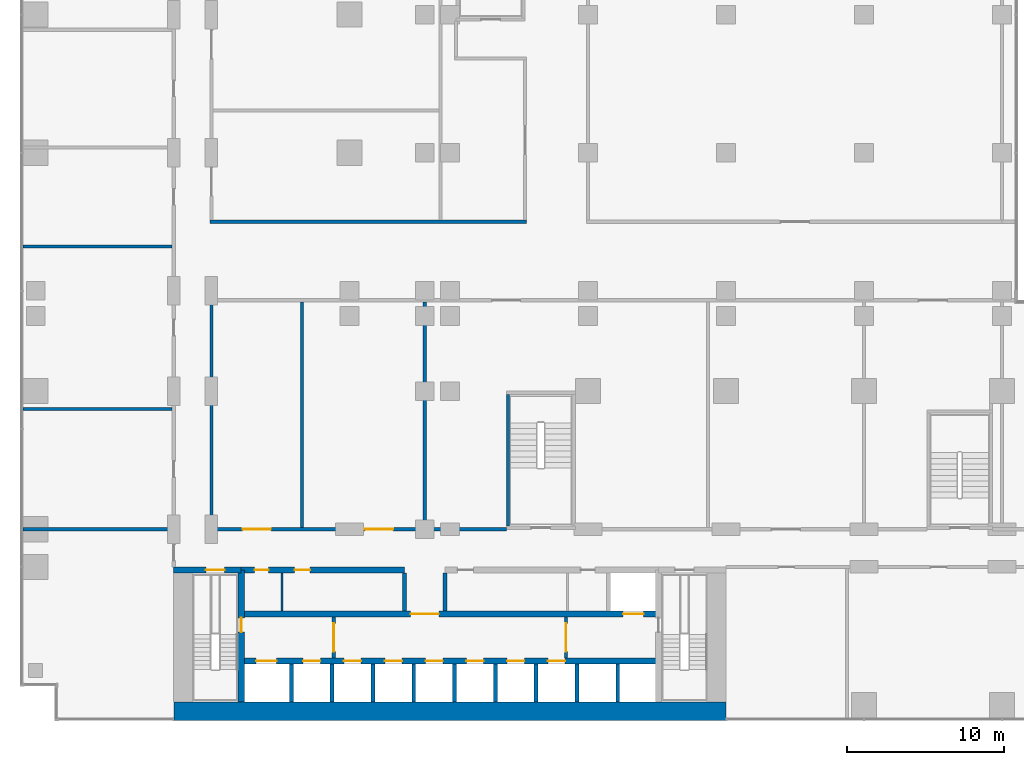
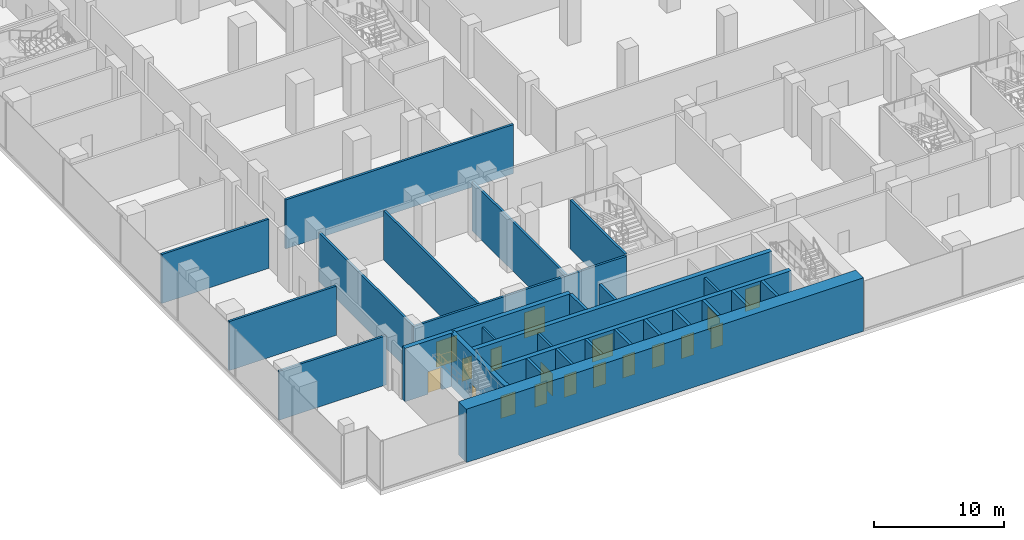
# One storey, part 18 of 30: 29 walls, 18 doors, 18 openings.
"""IFC4 building model written with IfcOpenShell, lengths in metres."""

import ifcopenshell
import ifcopenshell.guid

model = None  # the IFC model being written
_history = None  # IfcOwnerHistory: only IFC2X3 demands one
_inside = {}  # id of a spatial element -> (the spatial element, [elements in it])
_under = {}  # id of a project, library or spatial element -> (it, [spatial elements below it])
_declared = {}  # id of a project -> (the project, [libraries it declares])
_typed = {}  # id of a type object -> (the type object, [elements of that type])
_made_of = {}  # id of a material, layer set ... -> (it, [elements and type objects made of it])


def new_model(schema):
    """Start an empty IFC model of exactly this schema.

    Asked for "IFC4X3", IfcOpenShell would pick the latest addendum, in which some entities
    have other attributes; the version numbers below select the first issue.
    IFC2X3 requires an IfcOwnerHistory on every rooted entity: one is made here for all.
    """
    global model, _history
    if schema == "IFC4X3":
        model = ifcopenshell.file(schema_version=(4, 3, 0, 0))
    else:
        model = ifcopenshell.file(schema=schema)
    _inside.clear()
    _under.clear()
    _declared.clear()
    _typed.clear()
    _made_of.clear()
    _history = None
    if model.schema == "IFC2X3":
        org = make("IfcOrganization", Name="unknown")
        user = make(
            "IfcPersonAndOrganization",
            ThePerson=make("IfcPerson", FamilyName="unknown"),
            TheOrganization=org,
        )
        app = make(
            "IfcApplication",
            ApplicationDeveloper=org,
            Version="unknown",
            ApplicationFullName="unknown",
            ApplicationIdentifier="unknown",
        )
        _history = make(
            "IfcOwnerHistory",
            OwningUser=user,
            OwningApplication=app,
            ChangeAction="ADDED",
            CreationDate=0,
        )
    return model


def make(cls, **values):
    """One entity of the class cls with the attributes given. An attribute that is None is left unset."""
    return model.create_entity(
        cls, **{name: value for name, value in values.items() if value is not None}
    )


def rooted(cls, **values):
    """An entity with a GlobalId (a new one), such as an element, a storey or a relation."""
    return make(cls, GlobalId=ifcopenshell.guid.new(), OwnerHistory=_history, **values)


def si_unit(unit_type, name, prefix=None):
    """IfcSIUnit, for example si_unit("LENGTHUNIT", "METRE", prefix="MILLI")."""
    return make("IfcSIUnit", UnitType=unit_type, Prefix=prefix, Name=name)


def assignment(units):
    """IfcUnitAssignment: the units of a project."""
    return None if units is None else make("IfcUnitAssignment", Units=units)


def point(xyz):
    """IfcCartesianPoint."""
    return None if xyz is None else make("IfcCartesianPoint", Coordinates=xyz)


def direction(xyz):
    """IfcDirection."""
    return None if xyz is None else make("IfcDirection", DirectionRatios=xyz)


def frame(location, z_axis=None, x_axis=None):
    """IfcAxis2Placement3D, a coordinate frame: its origin and axes. An axis left out is left unset."""
    return make(
        "IfcAxis2Placement3D",
        Location=point(location),
        Axis=direction(z_axis),
        RefDirection=direction(x_axis),
    )


def frame_2d(location, x_axis=None):
    """IfcAxis2Placement2D, a coordinate frame in the plane: its origin and x axis."""
    return make(
        "IfcAxis2Placement2D", Location=point(location), RefDirection=direction(x_axis)
    )


def origin():
    """The frame at (0, 0, 0) with its axes left unset."""
    return frame((0.0, 0.0, 0.0))


def place(relative_to, where):
    """IfcLocalPlacement: puts the frame where relative to a parent placement (None: the world)."""
    return make(
        "IfcLocalPlacement", PlacementRelTo=relative_to, RelativePlacement=where
    )


def context(
    kind, dimensions, precision=None, world=None, true_north=None, identifier=None
):
    """IfcGeometricRepresentationContext, for example the 3D "Model" context."""
    return make(
        "IfcGeometricRepresentationContext",
        ContextIdentifier=identifier,
        ContextType=kind,
        CoordinateSpaceDimension=dimensions,
        Precision=precision,
        WorldCoordinateSystem=world,
        TrueNorth=true_north,
    )


def subcontext(parent, identifier, kind, view, scale=None):
    """IfcGeometricRepresentationSubContext, for example "Body" below "Model"."""
    return make(
        "IfcGeometricRepresentationSubContext",
        ContextIdentifier=identifier,
        ContextType=kind,
        ParentContext=parent,
        TargetScale=scale,
        TargetView=view,
    )


def project(units=None, contexts=None):
    """IfcProject with its units and contexts."""
    return rooted(
        "IfcProject",
        Name="project",
        RepresentationContexts=contexts,
        UnitsInContext=assignment(units),
    )


def spatial(cls, under=None, at=None, **own):
    """A site, building, storey or space (cls), placed at a placement, below another one or the project."""
    s = rooted(cls, ObjectPlacement=at, **own)
    if under is not None:
        _under.setdefault(under.id(), (under, []))[1].append(s)
    return s


def profile(cls, at=None, kind="AREA", **sizes):
    """A parametric profile (cls). Its sizes go by their IFC names, for example OverallWidth=200.0."""
    return make(cls, ProfileType=kind, Position=at, **sizes)


def rectangle(**sizes):
    """IfcRectangleProfileDef."""
    return profile("IfcRectangleProfileDef", **sizes)


def extrude(swept, where, along, depth):
    """IfcExtrudedAreaSolid: the profile swept, set in the frame where, extruded along a direction by depth."""
    return make(
        "IfcExtrudedAreaSolid",
        SweptArea=swept,
        Position=where,
        ExtrudedDirection=direction(along),
        Depth=depth,
    )


def shape(context_of_items, identifier, shape_type, items):
    """IfcShapeRepresentation: the items that make up one representation, for example the "Body"."""
    return make(
        "IfcShapeRepresentation",
        ContextOfItems=context_of_items,
        RepresentationIdentifier=identifier,
        RepresentationType=shape_type,
        Items=items,
    )


def material(Name=None, Category=None):
    """IfcMaterial."""
    return make("IfcMaterial", Name=Name, Category=Category)


def layer(
    of_material, thickness, ventilated=None, Name=None, Category=None, Priority=None
):
    """IfcMaterialLayer: one layer of a wall or slab, of a material (None: an air gap)."""
    return make(
        "IfcMaterialLayer",
        Material=of_material,
        LayerThickness=thickness,
        IsVentilated=ventilated,
        Name=Name,
        Category=Category,
        Priority=Priority,
    )


def layer_set(layers, Name=None):
    """IfcMaterialLayerSet."""
    return make("IfcMaterialLayerSet", MaterialLayers=layers, LayerSetName=Name)


def made_of(thing, what):
    """Note that an element or type object is made of a material, layer set ...; save() writes the relation."""
    if what is not None:
        _made_of.setdefault(what.id(), (what, []))[1].append(thing)
    return thing


def type_object(cls, material=None, **own):
    """A type object (cls), such as IfcWallType, which elements share."""
    return made_of(rooted(cls, **own), material)


def element(
    cls,
    number,
    at=None,
    inside=None,
    cuts=None,
    type_object=None,
    material=None,
    context=None,
    identifier="Body",
    shape_type=None,
    held_by="IfcProductDefinitionShape",
    body=None,
    shapes=None,
    **own,
):
    """One element of the class cls, such as IfcWall. Its Tag is "e" and its number.

    at: its placement. inside: the storey or other place that contains it. cuts: it is an
    opening in that element (IfcRelVoidsElement). A single representation is given by context,
    identifier, shape_type and body (its items); several are given by shapes. held_by: the class
    of the entity that holds the representations. save() writes the other relations.
    """
    e = rooted(cls, Tag="e%d" % number, ObjectPlacement=at, **own)
    if body is not None:
        shapes = [shape(context, identifier, shape_type, body)]
    if shapes is not None:
        e.Representation = make(held_by, Representations=shapes)
    if inside is not None:
        _inside.setdefault(inside.id(), (inside, []))[1].append(e)
    if cuts is not None:
        rooted(
            "IfcRelVoidsElement", RelatingBuildingElement=cuts, RelatedOpeningElement=e
        )
    if type_object is not None:
        _typed.setdefault(type_object.id(), (type_object, []))[1].append(e)
    return made_of(e, material)


def fill(opening, filler):
    """IfcRelFillsElement: the door or window that sits in an opening."""
    return rooted(
        "IfcRelFillsElement",
        RelatingOpeningElement=opening,
        RelatedBuildingElement=filler,
    )


def aggregate(whole, parts):
    """IfcRelAggregates: a whole, such as a stair, and the parts it consists of."""
    return rooted("IfcRelAggregates", RelatingObject=whole, RelatedObjects=parts)


def save(model, path):
    """Write the relations noted so far, then the file.

    IfcRelAggregates (storeys below a building ...), IfcRelContainedInSpatialStructure (elements
    in a storey), IfcRelDefinesByType, IfcRelAssociatesMaterial and IfcRelDeclares: one each for
    every whole, place, type object, material and project.
    """
    for whole, parts in _under.values():
        aggregate(whole, parts)
    for where, things in _inside.values():
        rooted(
            "IfcRelContainedInSpatialStructure",
            RelatedElements=things,
            RelatingStructure=where,
        )
    for kind, things in _typed.values():
        rooted("IfcRelDefinesByType", RelatedObjects=things, RelatingType=kind)
    for what, things in _made_of.values():
        rooted("IfcRelAssociatesMaterial", RelatedObjects=things, RelatingMaterial=what)
    for by, libraries in _declared.values():
        rooted("IfcRelDeclares", RelatingContext=by, RelatedDefinitions=libraries)
    model.write(path)


model = new_model("IFC4")

# Units and contexts
model_context = context("Model", 3, precision=1e-05, world=origin(), true_north=direction((0.0, 1.0)))
body_context = subcontext(model_context, "Body", "Model", "MODEL_VIEW")
ifc_project = project(units=[si_unit("LENGTHUNIT", "METRE"), si_unit("AREAUNIT", "SQUARE_METRE"), si_unit("VOLUMEUNIT", "CUBIC_METRE"), si_unit("PLANEANGLEUNIT", "RADIAN"), si_unit("MASSUNIT", "GRAM", prefix="KILO")], contexts=[model_context])

# Site, building, storey
site_placement = place(None, origin())
site = spatial("IfcSite", under=ifc_project, at=site_placement, CompositionType="ELEMENT")
building_placement = place(site_placement, origin())
building = spatial("IfcBuilding", under=site, at=building_placement, Name="Kemantara Hotel Tower", CompositionType="ELEMENT")
storey_placement = place(building_placement, frame((0.0, 0.0, 13.0)))
storey = spatial("IfcBuildingStorey", under=building, at=storey_placement, Name="L02", CompositionType="ELEMENT", Elevation=13.0)

# Walls
ifc_material_1 = material(Name="Concrete fc 70 MPa", Category="concrete")
ifc_layer_1 = layer(ifc_material_1, 1.199951171875)
ifc_layer_set_1 = layer_set([ifc_layer_1], Name="Concrete fc 70 MPa")
wall_type_1 = type_object("IfcWallType", Name="CORE WALL 1200 FC70", PredefinedType="SHEAR", material=ifc_layer_set_1)
wall_1_placement = place(storey_placement, frame((9.800048828125, 0.60009765625, 0.0), z_axis=(0.0, 0.0, 1.0), x_axis=(1.0, 0.0, 0.0)))
element("IfcWall", 1, at=wall_1_placement, inside=storey, type_object=wall_type_1, Name="CORE WALL CW-S", PredefinedType="SHEAR", context=body_context, shape_type="SweptSolid", body=[
    extrude(rectangle(XDim=35.199951171875, YDim=1.199951171875, at=frame_2d((17.60009765625, 0.0))), origin(), (0.0, 0.0, 1.0), 5.0),
])
ifc_layer_2 = layer(ifc_material_1, 0.25)
ifc_layer_set_2 = layer_set([ifc_layer_2], Name="Concrete fc 70 MPa")
wall_type_2 = type_object("IfcWallType", Name="CORE WALL 250 FC70", PredefinedType="SHEAR", material=ifc_layer_set_2)
for number, where, z_axis, x_axis, name in (
    (2, (17.300048828125, 1.199951171875, 0.0), (0.0, 0.0, 1.0), (0.0, 1.0, 0.0), "CORE WALL CW-DS17.3"),
    (3, (19.89990234375, 1.199951171875, 0.0), (0.0, 0.0, 1.0), (0.0, 1.0, 0.0), "CORE WALL CW-DS19.9"),
    (4, (22.5, 1.199951171875, 0.0), (0.0, 0.0, 1.0), (0.0, 1.0, 0.0), "CORE WALL CW-DS22.5"),
    (5, (25.10009765625, 1.199951171875, 0.0), (0.0, 0.0, 1.0), (0.0, 1.0, 0.0), "CORE WALL CW-DS25.1"),
    (6, (27.699951171875, 1.199951171875, 0.0), (0.0, 0.0, 1.0), (0.0, 1.0, 0.0), "CORE WALL CW-DS27.7"),
    (7, (30.300048828125, 1.199951171875, 0.0), (0.0, 0.0, 1.0), (0.0, 1.0, 0.0), "CORE WALL CW-DS30.3"),
    (8, (32.89990234375, 1.199951171875, 0.0), (0.0, 0.0, 1.0), (0.0, 1.0, 0.0), "CORE WALL CW-DS32.9"),
    (9, (35.5, 1.199951171875, 0.0), (0.0, 0.0, 1.0), (0.0, 1.0, 0.0), "CORE WALL CW-DS35.5"),
    (10, (38.10009765625, 1.199951171875, 0.0), (0.0, 0.0, 1.0), (0.0, 1.0, 0.0), "CORE WALL CW-DS38.1"),
):
    element("IfcWall", number, at=place(storey_placement, frame(where, z_axis=z_axis, x_axis=x_axis)), inside=storey, type_object=wall_type_2, Name=name, PredefinedType="SHEAR", context=body_context, shape_type="SweptSolid", body=[
        extrude(rectangle(XDim=2.400146484375, YDim=0.25, at=frame_2d((1.2001953125, 0.0))), origin(), (0.0, 0.0, 1.0), 5.0),
    ])
for number, where, z_axis, x_axis, name in (
    (11, (24.5, 7.0, 0.0), (0.0, 0.0, 1.0), (0.0, 1.0, 0.0), "CORE WALL CW-DN24.5"),
    (12, (27.10009765625, 7.0, 0.0), (0.0, 0.0, 1.0), (0.0, 1.0, 0.0), "CORE WALL CW-DN27.1"),
):
    element("IfcWall", number, at=place(storey_placement, frame(where, z_axis=z_axis, x_axis=x_axis)), inside=storey, type_object=wall_type_2, Name=name, PredefinedType="SHEAR", context=body_context, shape_type="SweptSolid", body=[
        extrude(rectangle(XDim=2.39990234375, YDim=0.25, at=frame_2d((1.199951171875, 0.0))), origin(), (0.0, 0.0, 1.0), 5.0),
    ])

# Wall, opening, door
ifc_layer_3 = layer(ifc_material_1, 0.39990234375)
ifc_layer_set_3 = layer_set([ifc_layer_3], Name="Concrete fc 70 MPa")
wall_type_3 = type_object("IfcWallType", Name="CORE WALL 400 FC70", PredefinedType="SHEAR", material=ifc_layer_set_3)
wall_2_placement = place(storey_placement, frame((9.800048828125, 9.60009765625, 0.0), z_axis=(0.0, 0.0, 1.0), x_axis=(1.0, 0.0, 0.0)))
wall_2 = element("IfcWall", 13, at=wall_2_placement, inside=storey, type_object=wall_type_3, Name="CORE WALL CW-N1", PredefinedType="SHEAR", context=body_context, shape_type="SweptSolid", body=[
    extrude(rectangle(XDim=4.300048828125, YDim=0.39990234375, at=frame_2d((2.14990234375, 0.0))), origin(), (0.0, 0.0, 1.0), 5.0),
])
opening_1_placement = place(wall_2_placement, frame((2.050048828125, 0.0, 0.0)))
opening_1 = element("IfcOpeningElement", 14, at=opening_1_placement, cuts=wall_2, Name="Opening C05-ST1-C", PredefinedType="OPENING", context=body_context, shape_type="SweptSolid", body=[
    extrude(rectangle(XDim=1.199951171875, YDim=2.10009765625, at=frame_2d((0.60009765625, 1.050048828125))), frame((0.0, 0.2099609375, 0.0), z_axis=(0.0, -1.0, 0.0), x_axis=(1.0, 0.0, 0.0)), (0.0, 0.0, 1.0), 0.419921875),
])
ifc_material_2 = material(Name="Steel fire door", Category="steel")
door_type_1 = type_object("IfcDoorType", Name="Fire door FD90 1200 x 2100", OperationType="NOTDEFINED", PredefinedType="DOOR", material=ifc_material_2)
door_1_placement = place(opening_1_placement, frame((1.199951171875, 0.0, 0.0), z_axis=(0.0, 0.0, 1.0), x_axis=(-1.0, 0.0, 0.0)))
door_1 = element("IfcDoor", 15, at=door_1_placement, inside=storey, type_object=door_type_1, Name="Stair ST1 door to corridor", OperationType="SINGLE_SWING_LEFT", OverallHeight=2.10009765625, OverallWidth=1.199951171875, PredefinedType="DOOR", context=body_context, shape_type="SweptSolid", body=[
    extrude(rectangle(XDim=1.199951171875, YDim=2.10009765625, at=frame_2d((0.60009765625, 1.050048828125))), frame((0.0, 0.02490234375, 0.0), z_axis=(0.0, -1.0, 0.0), x_axis=(1.0, 0.0, 0.0)), (0.0, 0.0, 1.0), 0.050048828125),
])
fill(opening_1, door_1)

# Wall, openings, doors
wall_3_placement = place(storey_placement, frame((14.10009765625, 9.60009765625, 0.0), z_axis=(0.0, 0.0, 1.0), x_axis=(1.0, 0.0, 0.0)))
wall_3 = element("IfcWall", 16, at=wall_3_placement, inside=storey, type_object=wall_type_3, Name="CORE WALL CW-NN1", PredefinedType="SHEAR", context=body_context, shape_type="SweptSolid", body=[
    extrude(rectangle(XDim=10.39990234375, YDim=0.39990234375, at=frame_2d((5.199951171875, 0.0))), origin(), (0.0, 0.0, 1.0), 5.0),
])
opening_2_placement = place(wall_3_placement, frame((0.85009765625, 0.0, 0.0)))
opening_2 = element("IfcOpeningElement", 17, at=opening_2_placement, cuts=wall_3, Name="Opening C05-R-NW1", PredefinedType="OPENING", context=body_context, shape_type="SweptSolid", body=[
    extrude(rectangle(XDim=0.89990234375, YDim=2.10009765625, at=frame_2d((0.449951171875, 1.050048828125))), frame((0.0, 0.2099609375, 0.0), z_axis=(0.0, -1.0, 0.0), x_axis=(1.0, 0.0, 0.0)), (0.0, 0.0, 1.0), 0.419921875),
])
opening_3_placement = place(wall_3_placement, frame((3.39990234375, 0.0, 0.0)))
opening_3 = element("IfcOpeningElement", 18, at=opening_3_placement, cuts=wall_3, Name="Opening C05-R-NW2", PredefinedType="OPENING", context=body_context, shape_type="SweptSolid", body=[
    extrude(rectangle(XDim=1.0, YDim=2.10009765625, at=frame_2d((0.5, 1.050048828125))), frame((0.0, 0.2099609375, 0.0), z_axis=(0.0, -1.0, 0.0), x_axis=(1.0, 0.0, 0.0)), (0.0, 0.0, 1.0), 0.419921875),
])
door_type_2 = type_object("IfcDoorType", Name="Fire door FD30S 1000 x 2100", OperationType="NOTDEFINED", PredefinedType="DOOR", material=ifc_material_2)
door_2_placement = place(opening_3_placement, frame((1.0, 0.0, 0.0), z_axis=(0.0, 0.0, 1.0), x_axis=(-1.0, 0.0, 0.0)))
door_2 = element("IfcDoor", 19, at=door_2_placement, inside=storey, type_object=door_type_2, Name="Housekeeping Store door", OperationType="SINGLE_SWING_RIGHT", OverallHeight=2.10009765625, OverallWidth=1.0, PredefinedType="DOOR", context=body_context, shape_type="SweptSolid", body=[
    extrude(rectangle(XDim=1.0, YDim=2.10009765625, at=frame_2d((0.5, 1.050048828125))), frame((0.0, 0.02490234375, 0.0), z_axis=(0.0, -1.0, 0.0), x_axis=(1.0, 0.0, 0.0)), (0.0, 0.0, 1.0), 0.050048828125),
])
fill(opening_3, door_2)
door_type_3 = type_object("IfcDoorType", Name="Fire door FD30S 900 x 2100", OperationType="NOTDEFINED", PredefinedType="DOOR", material=ifc_material_2)
door_3_placement = place(opening_2_placement, frame((0.89990234375, 0.0, 0.0), z_axis=(0.0, 0.0, 1.0), x_axis=(-1.0, 0.0, 0.0)))
door_3 = element("IfcDoor", 20, at=door_3_placement, inside=storey, type_object=door_type_3, Name="Staff Wc door", OperationType="SINGLE_SWING_RIGHT", OverallHeight=2.10009765625, OverallWidth=0.89990234375, PredefinedType="DOOR", context=body_context, shape_type="SweptSolid", body=[
    extrude(rectangle(XDim=0.89990234375, YDim=2.10009765625, at=frame_2d((0.449951171875, 1.050048828125))), frame((0.0, 0.02490234375, 0.0), z_axis=(0.0, -1.0, 0.0), x_axis=(1.0, 0.0, 0.0)), (0.0, 0.0, 1.0), 0.050048828125),
])
fill(opening_2, door_3)

wall_4_placement = place(storey_placement, frame((14.10009765625, 3.800048828125, 0.0), z_axis=(0.0, 0.0, 1.0), x_axis=(1.0, 0.0, 0.0)))
wall_4 = element("IfcWall", 21, at=wall_4_placement, inside=storey, type_object=wall_type_3, Name="CORE WALL CW-L1", PredefinedType="SHEAR", context=body_context, shape_type="SweptSolid", body=[
    extrude(rectangle(XDim=26.599853515625, YDim=0.39990234375, at=frame_2d((13.2998046875, 0.0))), origin(), (0.0, 0.0, 1.0), 5.0),
])
opening_4_placement = place(wall_4_placement, frame((0.949951171875, 0.0, 0.0)))
opening_4 = element("IfcOpeningElement", 22, at=opening_4_placement, cuts=wall_4, Name="Opening C05-LD-FF1", PredefinedType="OPENING", context=body_context, shape_type="SweptSolid", body=[
    extrude(rectangle(XDim=1.300048828125, YDim=2.10009765625, at=frame_2d((0.64990234375, 1.050048828125))), frame((0.0, 0.2099609375, 0.0), z_axis=(0.0, -1.0, 0.0), x_axis=(1.0, 0.0, 0.0)), (0.0, 0.0, 1.0), 0.419921875),
])
opening_5_placement = place(wall_4_placement, frame((3.949951171875, 0.0, 0.0)))
opening_5 = element("IfcOpeningElement", 23, at=opening_5_placement, cuts=wall_4, Name="Opening C05-LD-SV1", PredefinedType="OPENING", context=body_context, shape_type="SweptSolid", body=[
    extrude(rectangle(XDim=1.10009765625, YDim=2.10009765625, at=frame_2d((0.550048828125, 1.050048828125))), frame((0.0, 0.2099609375, 0.0), z_axis=(0.0, -1.0, 0.0), x_axis=(1.0, 0.0, 0.0)), (0.0, 0.0, 1.0), 0.419921875),
])
opening_6_placement = place(wall_4_placement, frame((6.550048828125, 0.0, 0.0)))
opening_6 = element("IfcOpeningElement", 24, at=opening_6_placement, cuts=wall_4, Name="Opening C05-LD-SV2", PredefinedType="OPENING", context=body_context, shape_type="SweptSolid", body=[
    extrude(rectangle(XDim=1.10009765625, YDim=2.10009765625, at=frame_2d((0.550048828125, 1.050048828125))), frame((0.0, 0.2099609375, 0.0), z_axis=(0.0, -1.0, 0.0), x_axis=(1.0, 0.0, 0.0)), (0.0, 0.0, 1.0), 0.419921875),
])
opening_7_placement = place(wall_4_placement, frame((9.14990234375, 0.0, 0.0)))
opening_7 = element("IfcOpeningElement", 25, at=opening_7_placement, cuts=wall_4, Name="Opening C05-LD-SV3", PredefinedType="OPENING", context=body_context, shape_type="SweptSolid", body=[
    extrude(rectangle(XDim=1.10009765625, YDim=2.10009765625, at=frame_2d((0.550048828125, 1.050048828125))), frame((0.0, 0.2099609375, 0.0), z_axis=(0.0, -1.0, 0.0), x_axis=(1.0, 0.0, 0.0)), (0.0, 0.0, 1.0), 0.419921875),
])
opening_8_placement = place(wall_4_placement, frame((11.75, 0.0, 0.0)))
opening_8 = element("IfcOpeningElement", 26, at=opening_8_placement, cuts=wall_4, Name="Opening C05-LD-LR1", PredefinedType="OPENING", context=body_context, shape_type="SweptSolid", body=[
    extrude(rectangle(XDim=1.10009765625, YDim=2.10009765625, at=frame_2d((0.550048828125, 1.050048828125))), frame((0.0, 0.2099609375, 0.0), z_axis=(0.0, -1.0, 0.0), x_axis=(1.0, 0.0, 0.0)), (0.0, 0.0, 1.0), 0.419921875),
])
opening_9_placement = place(wall_4_placement, frame((14.35009765625, 0.0, 0.0)))
opening_9 = element("IfcOpeningElement", 27, at=opening_9_placement, cuts=wall_4, Name="Opening C05-LD-LR2", PredefinedType="OPENING", context=body_context, shape_type="SweptSolid", body=[
    extrude(rectangle(XDim=1.10009765625, YDim=2.10009765625, at=frame_2d((0.550048828125, 1.050048828125))), frame((0.0, 0.2099609375, 0.0), z_axis=(0.0, -1.0, 0.0), x_axis=(1.0, 0.0, 0.0)), (0.0, 0.0, 1.0), 0.419921875),
])
opening_10_placement = place(wall_4_placement, frame((16.949951171875, 0.0, 0.0)))
opening_10 = element("IfcOpeningElement", 28, at=opening_10_placement, cuts=wall_4, Name="Opening C05-LD-LR3", PredefinedType="OPENING", context=body_context, shape_type="SweptSolid", body=[
    extrude(rectangle(XDim=1.10009765625, YDim=2.10009765625, at=frame_2d((0.550048828125, 1.050048828125))), frame((0.0, 0.2099609375, 0.0), z_axis=(0.0, -1.0, 0.0), x_axis=(1.0, 0.0, 0.0)), (0.0, 0.0, 1.0), 0.419921875),
])
opening_11_placement = place(wall_4_placement, frame((19.550048828125, 0.0, 0.0)))
opening_11 = element("IfcOpeningElement", 29, at=opening_11_placement, cuts=wall_4, Name="Opening C05-LD-LR4", PredefinedType="OPENING", context=body_context, shape_type="SweptSolid", body=[
    extrude(rectangle(XDim=1.10009765625, YDim=2.10009765625, at=frame_2d((0.550048828125, 1.050048828125))), frame((0.0, 0.2099609375, 0.0), z_axis=(0.0, -1.0, 0.0), x_axis=(1.0, 0.0, 0.0)), (0.0, 0.0, 1.0), 0.419921875),
])
ifc_material_3 = material(Name="Stainless steel lift door", Category="steel")
door_type_4 = type_object("IfcDoorType", Name="Lift landing door 1100 x 2100 FD60", OperationType="DOUBLE_DOOR_SLIDING", PredefinedType="DOOR", material=ifc_material_3)
door_4_placement = place(opening_5_placement, origin())
door_4 = element("IfcDoor", 30, at=door_4_placement, inside=storey, type_object=door_type_4, Name="Lift SV1 landing door", OperationType="DOUBLE_DOOR_SLIDING", OverallHeight=2.10009765625, OverallWidth=1.10009765625, PredefinedType="DOOR", context=body_context, shape_type="SweptSolid", body=[
    extrude(rectangle(XDim=1.10009765625, YDim=2.10009765625, at=frame_2d((0.550048828125, 1.050048828125))), frame((0.0, 0.02490234375, 0.0), z_axis=(0.0, -1.0, 0.0), x_axis=(1.0, 0.0, 0.0)), (0.0, 0.0, 1.0), 0.050048828125),
])
fill(opening_5, door_4)
door_5_placement = place(opening_6_placement, origin())
door_5 = element("IfcDoor", 31, at=door_5_placement, inside=storey, type_object=door_type_4, Name="Lift SV2 landing door", OperationType="DOUBLE_DOOR_SLIDING", OverallHeight=2.10009765625, OverallWidth=1.10009765625, PredefinedType="DOOR", context=body_context, shape_type="SweptSolid", body=[
    extrude(rectangle(XDim=1.10009765625, YDim=2.10009765625, at=frame_2d((0.550048828125, 1.050048828125))), frame((0.0, 0.02490234375, 0.0), z_axis=(0.0, -1.0, 0.0), x_axis=(1.0, 0.0, 0.0)), (0.0, 0.0, 1.0), 0.050048828125),
])
fill(opening_6, door_5)
door_6_placement = place(opening_7_placement, origin())
door_6 = element("IfcDoor", 32, at=door_6_placement, inside=storey, type_object=door_type_4, Name="Lift SV3 landing door", OperationType="DOUBLE_DOOR_SLIDING", OverallHeight=2.10009765625, OverallWidth=1.10009765625, PredefinedType="DOOR", context=body_context, shape_type="SweptSolid", body=[
    extrude(rectangle(XDim=1.10009765625, YDim=2.10009765625, at=frame_2d((0.550048828125, 1.050048828125))), frame((0.0, 0.02490234375, 0.0), z_axis=(0.0, -1.0, 0.0), x_axis=(1.0, 0.0, 0.0)), (0.0, 0.0, 1.0), 0.050048828125),
])
fill(opening_7, door_6)
door_7_placement = place(opening_8_placement, origin())
door_7 = element("IfcDoor", 33, at=door_7_placement, inside=storey, type_object=door_type_4, Name="Lift LR1 landing door", OperationType="DOUBLE_DOOR_SLIDING", OverallHeight=2.10009765625, OverallWidth=1.10009765625, PredefinedType="DOOR", context=body_context, shape_type="SweptSolid", body=[
    extrude(rectangle(XDim=1.10009765625, YDim=2.10009765625, at=frame_2d((0.550048828125, 1.050048828125))), frame((0.0, 0.02490234375, 0.0), z_axis=(0.0, -1.0, 0.0), x_axis=(1.0, 0.0, 0.0)), (0.0, 0.0, 1.0), 0.050048828125),
])
fill(opening_8, door_7)
door_8_placement = place(opening_9_placement, origin())
door_8 = element("IfcDoor", 34, at=door_8_placement, inside=storey, type_object=door_type_4, Name="Lift LR2 landing door", OperationType="DOUBLE_DOOR_SLIDING", OverallHeight=2.10009765625, OverallWidth=1.10009765625, PredefinedType="DOOR", context=body_context, shape_type="SweptSolid", body=[
    extrude(rectangle(XDim=1.10009765625, YDim=2.10009765625, at=frame_2d((0.550048828125, 1.050048828125))), frame((0.0, 0.02490234375, 0.0), z_axis=(0.0, -1.0, 0.0), x_axis=(1.0, 0.0, 0.0)), (0.0, 0.0, 1.0), 0.050048828125),
])
fill(opening_9, door_8)
door_9_placement = place(opening_10_placement, origin())
door_9 = element("IfcDoor", 35, at=door_9_placement, inside=storey, type_object=door_type_4, Name="Lift LR3 landing door", OperationType="DOUBLE_DOOR_SLIDING", OverallHeight=2.10009765625, OverallWidth=1.10009765625, PredefinedType="DOOR", context=body_context, shape_type="SweptSolid", body=[
    extrude(rectangle(XDim=1.10009765625, YDim=2.10009765625, at=frame_2d((0.550048828125, 1.050048828125))), frame((0.0, 0.02490234375, 0.0), z_axis=(0.0, -1.0, 0.0), x_axis=(1.0, 0.0, 0.0)), (0.0, 0.0, 1.0), 0.050048828125),
])
fill(opening_10, door_9)
door_10_placement = place(opening_11_placement, origin())
door_10 = element("IfcDoor", 36, at=door_10_placement, inside=storey, type_object=door_type_4, Name="Lift LR4 landing door", OperationType="DOUBLE_DOOR_SLIDING", OverallHeight=2.10009765625, OverallWidth=1.10009765625, PredefinedType="DOOR", context=body_context, shape_type="SweptSolid", body=[
    extrude(rectangle(XDim=1.10009765625, YDim=2.10009765625, at=frame_2d((0.550048828125, 1.050048828125))), frame((0.0, 0.02490234375, 0.0), z_axis=(0.0, -1.0, 0.0), x_axis=(1.0, 0.0, 0.0)), (0.0, 0.0, 1.0), 0.050048828125),
])
fill(opening_11, door_10)
door_type_5 = type_object("IfcDoorType", Name="Lift landing door 1300 x 2100 FD90", OperationType="DOUBLE_DOOR_SLIDING", PredefinedType="DOOR", material=ifc_material_3)
door_11_placement = place(opening_4_placement, origin())
door_11 = element("IfcDoor", 37, at=door_11_placement, inside=storey, type_object=door_type_5, Name="Lift FF1 landing door", OperationType="DOUBLE_DOOR_SLIDING", OverallHeight=2.10009765625, OverallWidth=1.300048828125, PredefinedType="DOOR", context=body_context, shape_type="SweptSolid", body=[
    extrude(rectangle(XDim=1.300048828125, YDim=2.10009765625, at=frame_2d((0.64990234375, 1.050048828125))), frame((0.0, 0.02490234375, 0.0), z_axis=(0.0, -1.0, 0.0), x_axis=(1.0, 0.0, 0.0)), (0.0, 0.0, 1.0), 0.050048828125),
])
fill(opening_4, door_11)

wall_5_placement = place(storey_placement, frame((14.10009765625, 6.800048828125, 0.0), z_axis=(0.0, 0.0, 1.0), x_axis=(1.0, 0.0, 0.0)))
wall_5 = element("IfcWall", 38, at=wall_5_placement, inside=storey, type_object=wall_type_3, Name="CORE WALL CW-L2", PredefinedType="SHEAR", context=body_context, shape_type="SweptSolid", body=[
    extrude(rectangle(XDim=26.599853515625, YDim=0.39990234375, at=frame_2d((13.2998046875, 0.0))), origin(), (0.0, 0.0, 1.0), 5.0),
])
opening_12_placement = place(wall_5_placement, frame((10.800048828125, 0.0, 0.0)))
opening_12 = element("IfcOpeningElement", 39, at=opening_12_placement, cuts=wall_5, Name="Opening C05-VL", PredefinedType="OPENING", context=body_context, shape_type="SweptSolid", body=[
    extrude(rectangle(XDim=1.800048828125, YDim=2.10009765625, at=frame_2d((0.89990234375, 1.050048828125))), frame((0.0, 0.2099609375, 0.0), z_axis=(0.0, -1.0, 0.0), x_axis=(1.0, 0.0, 0.0)), (0.0, 0.0, 1.0), 0.419921875),
])
opening_13_placement = place(wall_5_placement, frame((24.35009765625, 0.0, 0.0)))
opening_13 = element("IfcOpeningElement", 40, at=opening_13_placement, cuts=wall_5, Name="Opening C05-LD-FF2", PredefinedType="OPENING", context=body_context, shape_type="SweptSolid", body=[
    extrude(rectangle(XDim=1.300048828125, YDim=2.10009765625, at=frame_2d((0.64990234375, 1.050048828125))), frame((0.0, 0.2099609375, 0.0), z_axis=(0.0, -1.0, 0.0), x_axis=(1.0, 0.0, 0.0)), (0.0, 0.0, 1.0), 0.419921875),
])
door_type_6 = type_object("IfcDoorType", Name="Fire door pair FD60 1800 x 2100", OperationType="DOUBLE_DOOR_SINGLE_SWING", PredefinedType="DOOR", material=ifc_material_2)
door_12_placement = place(opening_12_placement, frame((1.800048828125, 0.0, 0.0), z_axis=(0.0, 0.0, 1.0), x_axis=(-1.0, 0.0, 0.0)))
door_12 = element("IfcDoor", 41, at=door_12_placement, inside=storey, type_object=door_type_6, Name="Lift lobby entry door", OperationType="DOUBLE_DOOR_SINGLE_SWING", OverallHeight=2.10009765625, OverallWidth=1.800048828125, PredefinedType="DOOR", context=body_context, shape_type="SweptSolid", body=[
    extrude(rectangle(XDim=1.800048828125, YDim=2.10009765625, at=frame_2d((0.89990234375, 1.050048828125))), frame((0.0, 0.02490234375, 0.0), z_axis=(0.0, -1.0, 0.0), x_axis=(1.0, 0.0, 0.0)), (0.0, 0.0, 1.0), 0.050048828125),
])
fill(opening_12, door_12)
door_13_placement = place(opening_13_placement, origin())
door_13 = element("IfcDoor", 42, at=door_13_placement, inside=storey, type_object=door_type_5, Name="Lift FF2 landing door", OperationType="DOUBLE_DOOR_SLIDING", OverallHeight=2.10009765625, OverallWidth=1.300048828125, PredefinedType="DOOR", context=body_context, shape_type="SweptSolid", body=[
    extrude(rectangle(XDim=1.300048828125, YDim=2.10009765625, at=frame_2d((0.64990234375, 1.050048828125))), frame((0.0, 0.02490234375, 0.0), z_axis=(0.0, -1.0, 0.0), x_axis=(1.0, 0.0, 0.0)), (0.0, 0.0, 1.0), 0.050048828125),
])
fill(opening_13, door_13)

# Wall, opening, door
wall_6_placement = place(storey_placement, frame((14.10009765625, 1.199951171875, 0.0), z_axis=(0.0, 0.0, 1.0), x_axis=(0.0, 1.0, 0.0)))
wall_6 = element("IfcWall", 43, at=wall_6_placement, inside=storey, type_object=wall_type_3, Name="CORE WALL CW-ST1E", PredefinedType="SHEAR", context=body_context, shape_type="SweptSolid", body=[
    extrude(rectangle(XDim=8.400146484375, YDim=0.39990234375, at=frame_2d((4.2001953125, 0.0))), origin(), (0.0, 0.0, 1.0), 5.0),
])
opening_14_placement = place(wall_6_placement, frame((4.449951171875, 0.0, 0.0)))
opening_14 = element("IfcOpeningElement", 44, at=opening_14_placement, cuts=wall_6, Name="Opening C05-ST1-F", PredefinedType="OPENING", context=body_context, shape_type="SweptSolid", body=[
    extrude(rectangle(XDim=0.89990234375, YDim=2.10009765625, at=frame_2d((0.449951171875, 1.050048828125))), frame((0.0, 0.2099609375, 0.0), z_axis=(0.0, -1.0, 0.0), x_axis=(1.0, 0.0, 0.0)), (0.0, 0.0, 1.0), 0.419921875),
])
door_type_7 = type_object("IfcDoorType", Name="Fire door FD90 900 x 2100", OperationType="NOTDEFINED", PredefinedType="DOOR", material=ifc_material_2)
door_14_placement = place(opening_14_placement, origin())
door_14 = element("IfcDoor", 45, at=door_14_placement, inside=storey, type_object=door_type_7, Name="Stair ST1 door to firefighting lobby", OperationType="SINGLE_SWING_RIGHT", OverallHeight=2.10009765625, OverallWidth=0.89990234375, PredefinedType="DOOR", context=body_context, shape_type="SweptSolid", body=[
    extrude(rectangle(XDim=0.89990234375, YDim=2.10009765625, at=frame_2d((0.449951171875, 1.050048828125))), frame((0.0, 0.02490234375, 0.0), z_axis=(0.0, -1.0, 0.0), x_axis=(1.0, 0.0, 0.0)), (0.0, 0.0, 1.0), 0.050048828125),
])
fill(opening_14, door_14)

# Walls
ifc_material_4 = material(Name="Concrete fc 40 MPa", Category="concrete")
ifc_layer_4 = layer(ifc_material_4, 0.199951171875)
ifc_layer_set_4 = layer_set([ifc_layer_4], Name="Concrete fc 40 MPa")
wall_type_4 = type_object("IfcWallType", Name="Concrete stair wall 200 mm", PredefinedType="SHEAR", material=ifc_layer_set_4)
wall_7_placement = place(storey_placement, frame((31.10009765625, 12.39990234375, 0.0), z_axis=(0.0, 0.0, 1.0), x_axis=(0.0, 1.0, 0.0)))
element("IfcWall", 46, at=wall_7_placement, inside=storey, type_object=wall_type_4, Name="Stair PS3 enclosure wall W", PredefinedType="SHEAR", context=body_context, shape_type="SweptSolid", body=[
    extrude(rectangle(XDim=8.400146484375, YDim=0.199951171875, at=frame_2d((4.2001953125, 0.0))), origin(), (0.0, 0.0, 1.0), 4.60009765625),
])
ifc_material_5 = material(Name="Clay brick masonry", Category="masonry")
ifc_layer_5 = layer(ifc_material_5, 0.199951171875)
ifc_layer_set_5 = layer_set([ifc_layer_5], Name="Clay brick masonry")
wall_type_5 = type_object("IfcWallType", Name="FIRE-RATED CLAY BRICK WALL 200 EI 120", PredefinedType="PARTITIONING", material=ifc_layer_set_5)
wall_8_placement = place(storey_placement, frame((0.199951171875, 12.199951171875, 0.0), z_axis=(0.0, 0.0, 1.0), x_axis=(1.0, 0.0, 0.0)))
element("IfcWall", 47, at=wall_8_placement, inside=storey, type_object=wall_type_5, Name="FIRE WALL", PredefinedType="PARTITIONING", context=body_context, shape_type="SweptSolid", body=[
    extrude(rectangle(XDim=9.5, YDim=0.199951171875, at=frame_2d((4.75, 0.0))), origin(), (0.0, 0.0, 1.0), 4.60009765625),
])

# Wall, openings, doors
ifc_material_6 = material(Name="Fire-rated gypsum board partition")
ifc_layer_6 = layer(ifc_material_6, 0.199951171875)
ifc_layer_set_6 = layer_set([ifc_layer_6], Name="Fire-rated gypsum board partition")
wall_type_6 = type_object("IfcWallType", Name="FIRE-RATED GYPSUM PARTITION 200 EI 60", PredefinedType="PARTITIONING", material=ifc_layer_set_6)
wall_9_placement = place(storey_placement, frame((12.10009765625, 12.199951171875, 0.0), z_axis=(0.0, 0.0, 1.0), x_axis=(1.0, 0.0, 0.0)))
wall_9 = element("IfcWall", 48, at=wall_9_placement, inside=storey, type_object=wall_type_6, Name="FIRE-RATED PARTITION", PredefinedType="PARTITIONING", context=body_context, shape_type="SweptSolid", body=[
    extrude(rectangle(XDim=18.89990234375, YDim=0.199951171875, at=frame_2d((9.449951171875, 0.0))), origin(), (0.0, 0.0, 1.0), 4.60009765625),
])
opening_15_placement = place(wall_9_placement, frame((2.090087890625, 0.0, 0.0)))
opening_15 = element("IfcOpeningElement", 49, at=opening_15_placement, cuts=wall_9, Name="Opening L02-B022", PredefinedType="OPENING", context=body_context, shape_type="SweptSolid", body=[
    extrude(rectangle(XDim=1.800048828125, YDim=2.39990234375, at=frame_2d((0.89990234375, 1.199951171875))), frame((0.0, 0.10986328125, 0.0), z_axis=(0.0, -1.0, 0.0), x_axis=(1.0, 0.0, 0.0)), (0.0, 0.0, 1.0), 0.219970703125),
])
opening_16_placement = place(wall_9_placement, frame((9.889892578125, 0.0, 0.0)))
opening_16 = element("IfcOpeningElement", 50, at=opening_16_placement, cuts=wall_9, Name="Opening L02-B023", PredefinedType="OPENING", context=body_context, shape_type="SweptSolid", body=[
    extrude(rectangle(XDim=1.800048828125, YDim=2.39990234375, at=frame_2d((0.89990234375, 1.199951171875))), frame((0.0, 0.10986328125, 0.0), z_axis=(0.0, -1.0, 0.0), x_axis=(1.0, 0.0, 0.0)), (0.0, 0.0, 1.0), 0.219970703125),
])
ifc_material_7 = material(Name="Toughened glass door leaf", Category="glass")
door_type_8 = type_object("IfcDoorType", Name="GLAZED DOUBLE DOOR 1800 X 2400", OperationType="DOUBLE_DOOR_SINGLE_SWING", PredefinedType="DOOR", material=ifc_material_7)
door_15_placement = place(opening_15_placement, frame((1.800048828125, 0.0, 0.0), z_axis=(0.0, 0.0, 1.0), x_axis=(-1.0, 0.0, 0.0)))
door_15 = element("IfcDoor", 51, at=door_15_placement, inside=storey, type_object=door_type_8, Name="GLAZED DOUBLE DOOR", OperationType="DOUBLE_DOOR_SINGLE_SWING", OverallHeight=2.39990234375, OverallWidth=1.800048828125, PredefinedType="DOOR", context=body_context, shape_type="SweptSolid", body=[
    extrude(rectangle(XDim=1.800048828125, YDim=2.39990234375, at=frame_2d((0.89990234375, 1.199951171875))), frame((0.0, 0.02490234375, 0.0), z_axis=(0.0, -1.0, 0.0), x_axis=(1.0, 0.0, 0.0)), (0.0, 0.0, 1.0), 0.050048828125),
])
fill(opening_15, door_15)
door_16_placement = place(opening_16_placement, frame((1.800048828125, 0.0, 0.0), z_axis=(0.0, 0.0, 1.0), x_axis=(-1.0, 0.0, 0.0)))
door_16 = element("IfcDoor", 52, at=door_16_placement, inside=storey, type_object=door_type_8, Name="GLAZED DOUBLE DOOR", OperationType="DOUBLE_DOOR_SINGLE_SWING", OverallHeight=2.39990234375, OverallWidth=1.800048828125, PredefinedType="DOOR", context=body_context, shape_type="SweptSolid", body=[
    extrude(rectangle(XDim=1.800048828125, YDim=2.39990234375, at=frame_2d((0.89990234375, 1.199951171875))), frame((0.0, 0.02490234375, 0.0), z_axis=(0.0, -1.0, 0.0), x_axis=(1.0, 0.0, 0.0)), (0.0, 0.0, 1.0), 0.050048828125),
])
fill(opening_16, door_16)

# Walls
wall_10_placement = place(storey_placement, frame((12.199951171875, 12.300048828125, 0.0), z_axis=(0.0, 0.0, 1.0), x_axis=(0.0, 1.0, 0.0)))
element("IfcWall", 53, at=wall_10_placement, inside=storey, type_object=wall_type_6, Name="FIRE-RATED PARTITION", PredefinedType="PARTITIONING", context=body_context, shape_type="SweptSolid", body=[
    extrude(rectangle(XDim=14.39990234375, YDim=0.199951171875, at=frame_2d((7.199951171875, 0.0))), origin(), (0.0, 0.0, 1.0), 4.60009765625),
])
ifc_material_8 = material(Name="Gypsum board partition")
ifc_layer_7 = layer(ifc_material_8, 0.199951171875)
ifc_layer_set_7 = layer_set([ifc_layer_7], Name="Gypsum board partition")
wall_type_7 = type_object("IfcWallType", Name="GYPSUM BOARD PARTITION 200", PredefinedType="PARTITIONING", material=ifc_layer_set_7)
wall_11_placement = place(storey_placement, frame((12.10009765625, 31.800048828125, 0.0), z_axis=(0.0, 0.0, 1.0), x_axis=(1.0, 0.0, 0.0)))
element("IfcWall", 54, at=wall_11_placement, inside=storey, type_object=wall_type_7, Name="PARTITION", PredefinedType="PARTITIONING", context=body_context, shape_type="SweptSolid", body=[
    extrude(rectangle(XDim=20.199951171875, YDim=0.199951171875, at=frame_2d((10.10009765625, 0.0))), origin(), (0.0, 0.0, 1.0), 4.60009765625),
])
for number, where, z_axis, x_axis, name in (
    (55, (0.199951171875, 19.860107421875, 0.0), (0.0, 0.0, 1.0), (1.0, 0.0, 0.0), "PARTITION"),
    (56, (0.199951171875, 30.219970703125, 0.0), (0.0, 0.0, 1.0), (1.0, 0.0, 0.0), "PARTITION"),
):
    element("IfcWall", number, at=place(storey_placement, frame(where, z_axis=z_axis, x_axis=x_axis)), inside=storey, type_object=wall_type_7, Name=name, PredefinedType="PARTITIONING", context=body_context, shape_type="SweptSolid", body=[
        extrude(rectangle(XDim=9.5, YDim=0.199951171875, at=frame_2d((4.75, 0.0))), origin(), (0.0, 0.0, 1.0), 4.60009765625),
    ])
for number, where, z_axis, x_axis, name in (
    (57, (17.97998046875, 12.300048828125, 0.0), (0.0, 0.0, 1.0), (0.0, 1.0, 0.0), "PARTITION"),
    (58, (25.800048828125, 12.300048828125, 0.0), (0.0, 0.0, 1.0), (0.0, 1.0, 0.0), "PARTITION"),
):
    element("IfcWall", number, at=place(storey_placement, frame(where, z_axis=z_axis, x_axis=x_axis)), inside=storey, type_object=wall_type_7, Name=name, PredefinedType="PARTITIONING", context=body_context, shape_type="SweptSolid", body=[
        extrude(rectangle(XDim=14.39990234375, YDim=0.199951171875, at=frame_2d((7.199951171875, 0.0))), origin(), (0.0, 0.0, 1.0), 4.60009765625),
    ])
ifc_layer_8 = layer(ifc_material_8, 0.14990234375)
ifc_layer_set_8 = layer_set([ifc_layer_8], Name="Gypsum board partition")
wall_type_8 = type_object("IfcWallType", Name="Gypsum board partition 150 mm", PredefinedType="PARTITIONING", material=ifc_layer_set_8)
wall_12_placement = place(storey_placement, frame((16.699951171875, 7.0, 0.0), z_axis=(0.0, 0.0, 1.0), x_axis=(0.0, 1.0, 0.0)))
element("IfcWall", 59, at=wall_12_placement, inside=storey, type_object=wall_type_8, Name="Core room partition", PredefinedType="PARTITIONING", context=body_context, shape_type="SweptSolid", body=[
    extrude(rectangle(XDim=2.39990234375, YDim=0.14990234375, at=frame_2d((1.199951171875, 0.0))), origin(), (0.0, 0.0, 1.0), 4.60009765625),
])

# Wall, opening, door
ifc_material_9 = material(Name="Gypsum board shaft wall")
ifc_layer_9 = layer(ifc_material_9, 0.199951171875)
ifc_layer_set_9 = layer_set([ifc_layer_9], Name="Gypsum board shaft wall")
wall_type_9 = type_object("IfcWallType", Name="Gypsum board shaft wall 200 mm", PredefinedType="PARTITIONING", material=ifc_layer_set_9)
wall_13_placement = place(storey_placement, frame((20.0, 4.0, 0.0), z_axis=(0.0, 0.0, 1.0), x_axis=(0.0, 1.0, 0.0)))
wall_13 = element("IfcWall", 60, at=wall_13_placement, inside=storey, type_object=wall_type_9, Name="Firefighting lobby partition west", PredefinedType="PARTITIONING", context=body_context, shape_type="SweptSolid", body=[
    extrude(rectangle(XDim=2.60009765625, YDim=0.199951171875, at=frame_2d((1.300048828125, 0.0))), origin(), (0.0, 0.0, 1.0), 4.60009765625),
])
opening_17_placement = place(wall_13_placement, frame((0.39990234375, 0.0, 0.0)))
opening_17 = element("IfcOpeningElement", 61, at=opening_17_placement, cuts=wall_13, Name="Opening C05-FFW", PredefinedType="OPENING", context=body_context, shape_type="SweptSolid", body=[
    extrude(rectangle(XDim=1.800048828125, YDim=2.10009765625, at=frame_2d((0.89990234375, 1.050048828125))), frame((0.0, 0.10986328125, 0.0), z_axis=(0.0, -1.0, 0.0), x_axis=(1.0, 0.0, 0.0)), (0.0, 0.0, 1.0), 0.219970703125),
])
door_17_placement = place(opening_17_placement, origin())
door_17 = element("IfcDoor", 62, at=door_17_placement, inside=storey, type_object=door_type_6, Name="Firefighting lobby door west", OperationType="DOUBLE_DOOR_SINGLE_SWING", OverallHeight=2.10009765625, OverallWidth=1.800048828125, PredefinedType="DOOR", context=body_context, shape_type="SweptSolid", body=[
    extrude(rectangle(XDim=1.800048828125, YDim=2.10009765625, at=frame_2d((0.89990234375, 1.050048828125))), frame((0.0, 0.02490234375, 0.0), z_axis=(0.0, -1.0, 0.0), x_axis=(1.0, 0.0, 0.0)), (0.0, 0.0, 1.0), 0.050048828125),
])
fill(opening_17, door_17)

wall_14_placement = place(storey_placement, frame((34.800048828125, 4.0, 0.0), z_axis=(0.0, 0.0, 1.0), x_axis=(0.0, 1.0, 0.0)))
wall_14 = element("IfcWall", 63, at=wall_14_placement, inside=storey, type_object=wall_type_9, Name="Firefighting lobby partition east", PredefinedType="PARTITIONING", context=body_context, shape_type="SweptSolid", body=[
    extrude(rectangle(XDim=2.60009765625, YDim=0.199951171875, at=frame_2d((1.300048828125, 0.0))), origin(), (0.0, 0.0, 1.0), 4.60009765625),
])
opening_18_placement = place(wall_14_placement, frame((0.39990234375, 0.0, 0.0)))
opening_18 = element("IfcOpeningElement", 64, at=opening_18_placement, cuts=wall_14, Name="Opening C05-FFE", PredefinedType="OPENING", context=body_context, shape_type="SweptSolid", body=[
    extrude(rectangle(XDim=1.800048828125, YDim=2.10009765625, at=frame_2d((0.89990234375, 1.050048828125))), frame((0.0, 0.10986328125, 0.0), z_axis=(0.0, -1.0, 0.0), x_axis=(1.0, 0.0, 0.0)), (0.0, 0.0, 1.0), 0.219970703125),
])
door_18_placement = place(opening_18_placement, frame((1.800048828125, 0.0, 0.0), z_axis=(0.0, 0.0, 1.0), x_axis=(-1.0, 0.0, 0.0)))
door_18 = element("IfcDoor", 65, at=door_18_placement, inside=storey, type_object=door_type_6, Name="Firefighting lobby door east", OperationType="DOUBLE_DOOR_SINGLE_SWING", OverallHeight=2.10009765625, OverallWidth=1.800048828125, PredefinedType="DOOR", context=body_context, shape_type="SweptSolid", body=[
    extrude(rectangle(XDim=1.800048828125, YDim=2.10009765625, at=frame_2d((0.89990234375, 1.050048828125))), frame((0.0, 0.02490234375, 0.0), z_axis=(0.0, -1.0, 0.0), x_axis=(1.0, 0.0, 0.0)), (0.0, 0.0, 1.0), 0.050048828125),
])
fill(opening_18, door_18)

save(model, "model.ifc")
